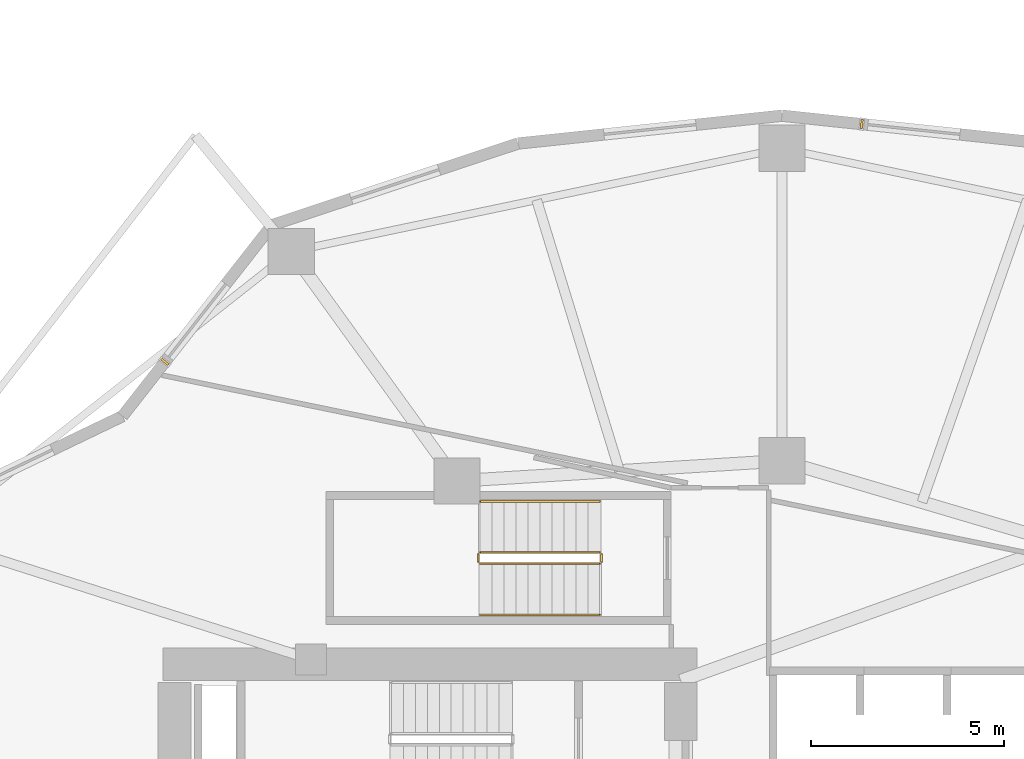
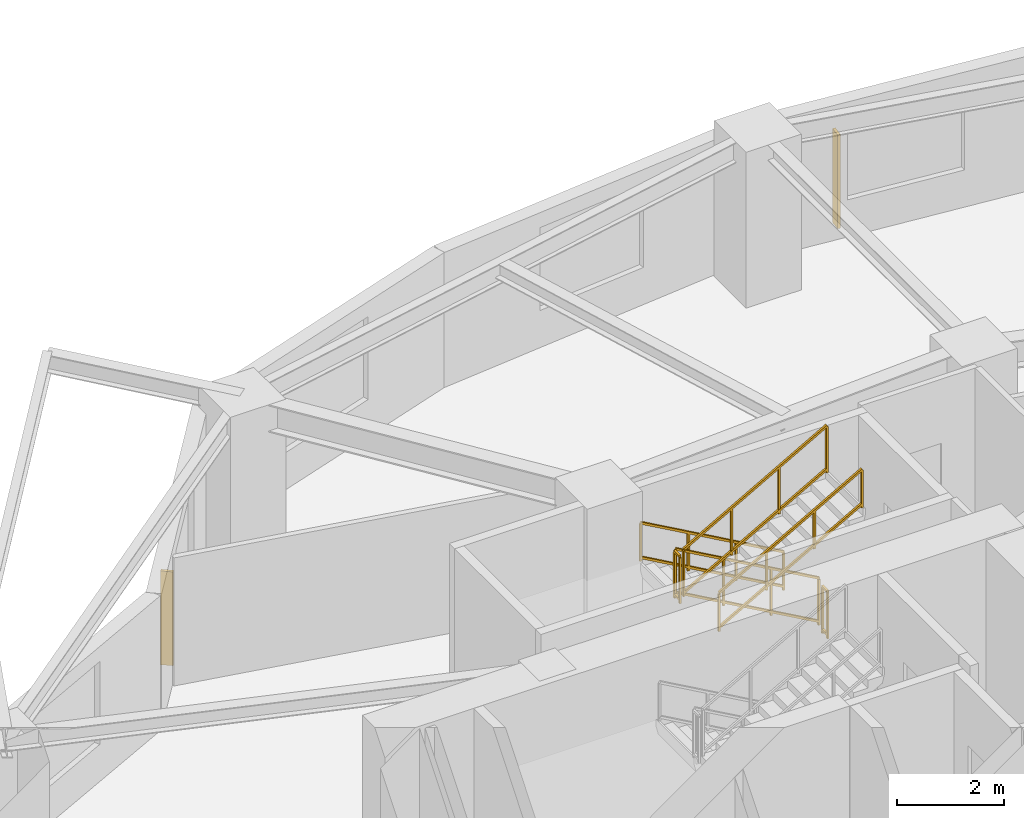
# One storey, part 13 of 14: 6 railings, 2 shading devices.
"""IFC4 building model written with IfcOpenShell, lengths in metres."""

from ifc_helpers import new_model, si_unit, direction, frame, origin, origin_2d, place, context, subcontext, project, spatial, rectangle, extrude, material, type_object, element, save


model = new_model("IFC4")

# Units and contexts
model_context = context("Model", 3, precision=1e-05, world=origin(), true_north=direction((0.0, 1.0)))
body_context = subcontext(model_context, "Body", "Model", "MODEL_VIEW")
ifc_project = project(units=[si_unit("LENGTHUNIT", "METRE"), si_unit("AREAUNIT", "SQUARE_METRE"), si_unit("VOLUMEUNIT", "CUBIC_METRE"), si_unit("PLANEANGLEUNIT", "RADIAN"), si_unit("MASSUNIT", "GRAM", prefix="KILO")], contexts=[model_context])

# Site, building, storey
site_placement = place(None, origin())
site = spatial("IfcSite", under=ifc_project, at=site_placement, CompositionType="ELEMENT")
building_placement = place(site_placement, origin())
building = spatial("IfcBuilding", under=site, at=building_placement, Name="Kolvaren Gate Tower and Convention Centre", CompositionType="ELEMENT")
storey_placement = place(building_placement, frame((0.0, 0.0, 57.300048828125)))
storey = spatial("IfcBuildingStorey", under=building, at=storey_placement, Name="L13", CompositionType="ELEMENT", Elevation=57.300048828125)

# Railings
ifc_material_1 = material(Name="Brushed Stainless Steel Grade 316L", Category="steel")
railing_type_1 = type_object("IfcRailingType", Name="ARCH-RL-GUARD-1150", PredefinedType="GUARDRAIL", material=ifc_material_1)
railing_1_placement = place(storey_placement, frame((25.39990234375, 36.830078125, 0.175048828125)))
element("IfcRailing", 1, at=railing_1_placement, inside=storey, type_object=railing_type_1, Name="L13 ST-T3 stair guard 1", PredefinedType="GUARDRAIL", context=body_context, shape_type="SweptSolid", body=[
    extrude(rectangle(XDim=0.048095703125, YDim=0.048095703125, at=origin_2d()), frame((0.0, 0.0, 1.076171875), z_axis=(-0.870814364268, 0.0, 0.491611984175), x_axis=(0.0, -1.0, 0.0)), (0.0, 0.0, 1.0), 3.559814453125),
    extrude(rectangle(XDim=0.048095703125, YDim=0.048095703125, at=origin_2d()), frame((0.0, 0.0, 0.083984375), z_axis=(-0.870814364268, 0.0, 0.491611984175), x_axis=(0.0, -1.0, 0.0)), (0.0, 0.0, 1.0), 3.559814453125),
    extrude(rectangle(XDim=0.0419921875, YDim=0.0419921875, at=origin_2d()), origin(), (0.0, 0.0, 1.0), 1.050048828125),
    extrude(rectangle(XDim=0.0419921875, YDim=0.0419921875, at=origin_2d()), frame((-3.099853515625, 0.0, 1.75)), (0.0, 0.0, 1.0), 1.050048828125),
    extrude(rectangle(XDim=0.0419921875, YDim=0.0419921875, at=origin_2d()), frame((-1.033203125, 0.0, 0.583251953125)), (0.0, 0.0, 1.0), 1.050048828125),
    extrude(rectangle(XDim=0.0419921875, YDim=0.0419921875, at=origin_2d()), frame((-2.066650390625, 0.0, 1.166748046875)), (0.0, 0.0, 1.0), 1.050048828125),
])
railing_2_placement = place(storey_placement, frame((22.25, 36.780029296875, 1.925048828125)))
element("IfcRailing", 2, at=railing_2_placement, inside=storey, type_object=railing_type_1, Name="L13 ST-T3 stair guard 2", PredefinedType="GUARDRAIL", context=body_context, shape_type="SweptSolid", body=[
    extrude(rectangle(XDim=0.048095703125, YDim=0.048095703125, at=origin_2d()), frame((0.0, 0.0, 1.076171875), z_axis=(0.0, -1.0, 0.0), x_axis=(1.0, 0.0, 0.0)), (0.0, 0.0, 1.0), 0.199951171875),
    extrude(rectangle(XDim=0.048095703125, YDim=0.048095703125, at=origin_2d()), frame((0.0, 0.0, 0.083984375), z_axis=(0.0, -1.0, 0.0), x_axis=(1.0, 0.0, 0.0)), (0.0, 0.0, 1.0), 0.199951171875),
    extrude(rectangle(XDim=0.0419921875, YDim=0.0419921875, at=origin_2d()), origin(), (0.0, 0.0, 1.0), 1.050048828125),
    extrude(rectangle(XDim=0.0419921875, YDim=0.0419921875, at=origin_2d()), frame((0.0, -0.199951171875, 0.0)), (0.0, 0.0, 1.0), 1.050048828125),
])
railing_3_placement = place(storey_placement, frame((22.300048828125, 36.530029296875, 2.099853515625)))
element("IfcRailing", 3, at=railing_3_placement, inside=storey, type_object=railing_type_1, Name="L13 ST-T3 stair guard 3", PredefinedType="GUARDRAIL", context=body_context, shape_type="SweptSolid", body=[
    extrude(rectangle(XDim=0.048095703125, YDim=0.048095703125, at=origin_2d()), frame((0.0, 0.0, 1.076171875), z_axis=(0.870814364268, 0.0, 0.491611984175), x_axis=(0.0, 1.0, 0.0)), (0.0, 0.0, 1.0), 3.559814453125),
    extrude(rectangle(XDim=0.048095703125, YDim=0.048095703125, at=origin_2d()), frame((0.0, 0.0, 0.083984375), z_axis=(0.870814364268, 0.0, 0.491611984175), x_axis=(0.0, 1.0, 0.0)), (0.0, 0.0, 1.0), 3.559814453125),
    extrude(rectangle(XDim=0.0419921875, YDim=0.0419921875, at=origin_2d()), origin(), (0.0, 0.0, 1.0), 1.050048828125),
    extrude(rectangle(XDim=0.0419921875, YDim=0.0419921875, at=origin_2d()), frame((3.099853515625, 0.0, 1.75)), (0.0, 0.0, 1.0), 1.050048828125),
    extrude(rectangle(XDim=0.0419921875, YDim=0.0419921875, at=origin_2d()), frame((1.033203125, 0.0, 0.583251953125)), (0.0, 0.0, 1.0), 1.050048828125),
    extrude(rectangle(XDim=0.0419921875, YDim=0.0419921875, at=origin_2d()), frame((2.066650390625, 0.0, 1.166748046875)), (0.0, 0.0, 1.0), 1.050048828125),
])
railing_4_placement = place(storey_placement, frame((25.449951171875, 36.780029296875, 0.0)))
element("IfcRailing", 4, at=railing_4_placement, inside=storey, type_object=railing_type_1, Name="L13 ST-T3 stair guard 4", PredefinedType="GUARDRAIL", context=body_context, shape_type="SweptSolid", body=[
    extrude(rectangle(XDim=0.048095703125, YDim=0.048095703125, at=origin_2d()), frame((0.0, 0.0, 1.076171875), z_axis=(0.0, -1.0, 0.0), x_axis=(1.0, 0.0, 0.0)), (0.0, 0.0, 1.0), 0.199951171875),
    extrude(rectangle(XDim=0.048095703125, YDim=0.048095703125, at=origin_2d()), frame((0.0, 0.0, 0.083984375), z_axis=(0.0, -1.0, 0.0), x_axis=(1.0, 0.0, 0.0)), (0.0, 0.0, 1.0), 0.199951171875),
    extrude(rectangle(XDim=0.0419921875, YDim=0.0419921875, at=origin_2d()), origin(), (0.0, 0.0, 1.0), 1.050048828125),
    extrude(rectangle(XDim=0.0419921875, YDim=0.0419921875, at=origin_2d()), frame((0.0, -0.199951171875, 0.0)), (0.0, 0.0, 1.0), 1.050048828125),
])
railing_type_2 = type_object("IfcRailingType", Name="ARCH-RL-HANDRAIL-920", PredefinedType="HANDRAIL", material=ifc_material_1)
railing_5_placement = place(storey_placement, frame((25.39990234375, 38.14990234375, 0.175048828125)))
element("IfcRailing", 5, at=railing_5_placement, inside=storey, type_object=railing_type_2, Name="L13 ST-T3 stair handrail 1", PredefinedType="HANDRAIL", context=body_context, shape_type="SweptSolid", body=[
    extrude(rectangle(XDim=0.048095703125, YDim=0.048095703125, at=origin_2d()), frame((0.0, 0.0, 0.8759765625), z_axis=(-0.870814364268, 0.0, 0.491611984175), x_axis=(0.0, -1.0, 0.0)), (0.0, 0.0, 1.0), 3.559814453125),
    extrude(rectangle(XDim=0.048095703125, YDim=0.048095703125, at=origin_2d()), frame((0.0, 0.0, 0.083984375), z_axis=(-0.870814364268, 0.0, 0.491611984175), x_axis=(0.0, -1.0, 0.0)), (0.0, 0.0, 1.0), 3.559814453125),
    extrude(rectangle(XDim=0.0419921875, YDim=0.0419921875, at=origin_2d()), origin(), (0.0, 0.0, 1.0), 0.849853515625),
    extrude(rectangle(XDim=0.0419921875, YDim=0.0419921875, at=origin_2d()), frame((-3.099853515625, 0.0, 1.75)), (0.0, 0.0, 1.0), 0.849853515625),
    extrude(rectangle(XDim=0.0419921875, YDim=0.0419921875, at=origin_2d()), frame((-1.033203125, 0.0, 0.583251953125)), (0.0, 0.0, 1.0), 0.849853515625),
    extrude(rectangle(XDim=0.0419921875, YDim=0.0419921875, at=origin_2d()), frame((-2.066650390625, 0.0, 1.166748046875)), (0.0, 0.0, 1.0), 0.849853515625),
])
railing_6_placement = place(storey_placement, frame((22.300048828125, 35.2099609375, 2.099853515625)))
element("IfcRailing", 6, at=railing_6_placement, inside=storey, type_object=railing_type_2, Name="L13 ST-T3 stair handrail 2", PredefinedType="HANDRAIL", context=body_context, shape_type="SweptSolid", body=[
    extrude(rectangle(XDim=0.048095703125, YDim=0.048095703125, at=origin_2d()), frame((0.0, 0.0, 0.8759765625), z_axis=(0.870814364268, 0.0, 0.491611984175), x_axis=(0.0, 1.0, 0.0)), (0.0, 0.0, 1.0), 3.559814453125),
    extrude(rectangle(XDim=0.048095703125, YDim=0.048095703125, at=origin_2d()), frame((0.0, 0.0, 0.083984375), z_axis=(0.870814364268, 0.0, 0.491611984175), x_axis=(0.0, 1.0, 0.0)), (0.0, 0.0, 1.0), 3.559814453125),
    extrude(rectangle(XDim=0.0419921875, YDim=0.0419921875, at=origin_2d()), origin(), (0.0, 0.0, 1.0), 0.849853515625),
    extrude(rectangle(XDim=0.0419921875, YDim=0.0419921875, at=origin_2d()), frame((3.099853515625, 0.0, 1.75)), (0.0, 0.0, 1.0), 0.849853515625),
    extrude(rectangle(XDim=0.0419921875, YDim=0.0419921875, at=origin_2d()), frame((1.033203125, 0.0, 0.583251953125)), (0.0, 0.0, 1.0), 0.849853515625),
    extrude(rectangle(XDim=0.0419921875, YDim=0.0419921875, at=origin_2d()), frame((2.066650390625, 0.0, 1.166748046875)), (0.0, 0.0, 1.0), 0.849853515625),
])

# Shading devices
ifc_material_2 = material(Name="Kiln-Fired Bogota Terracotta Ceramic Louvre Profile", Category="masonry")
shading_device_type = type_object("IfcShadingDeviceType", Name="ARCH-SHD-FIN-180", PredefinedType="JALOUSIE", material=ifc_material_2)
for number, where, z_axis, x_axis, name in (
    (7, (32.193603515625, 47.93212890625, 0.219970703125), (0.0, 0.0, 1.0), (0.994498884311, -0.104747167526, 0.0), "Ceramic Vertical Brise-Soleil Fin FN-L13-05"),
    (8, (14.127685546875, 41.76708984375, 0.219970703125), (0.0, 0.0, 1.0), (0.61644236478, 0.787400032325, 0.0), "Ceramic Vertical Brise-Soleil Fin FN-L13-08"),
):
    element("IfcShadingDevice", number, at=place(storey_placement, frame(where, z_axis=z_axis, x_axis=x_axis)), inside=storey, type_object=shading_device_type, Name=name, PredefinedType="JALOUSIE", context=body_context, shape_type="SweptSolid", body=[
        extrude(rectangle(XDim=0.06005859375, YDim=0.239990234375, at=origin_2d()), origin(), (0.0, 0.0, 1.0), 2.14990234375),
    ])

save(model, "model.ifc")
